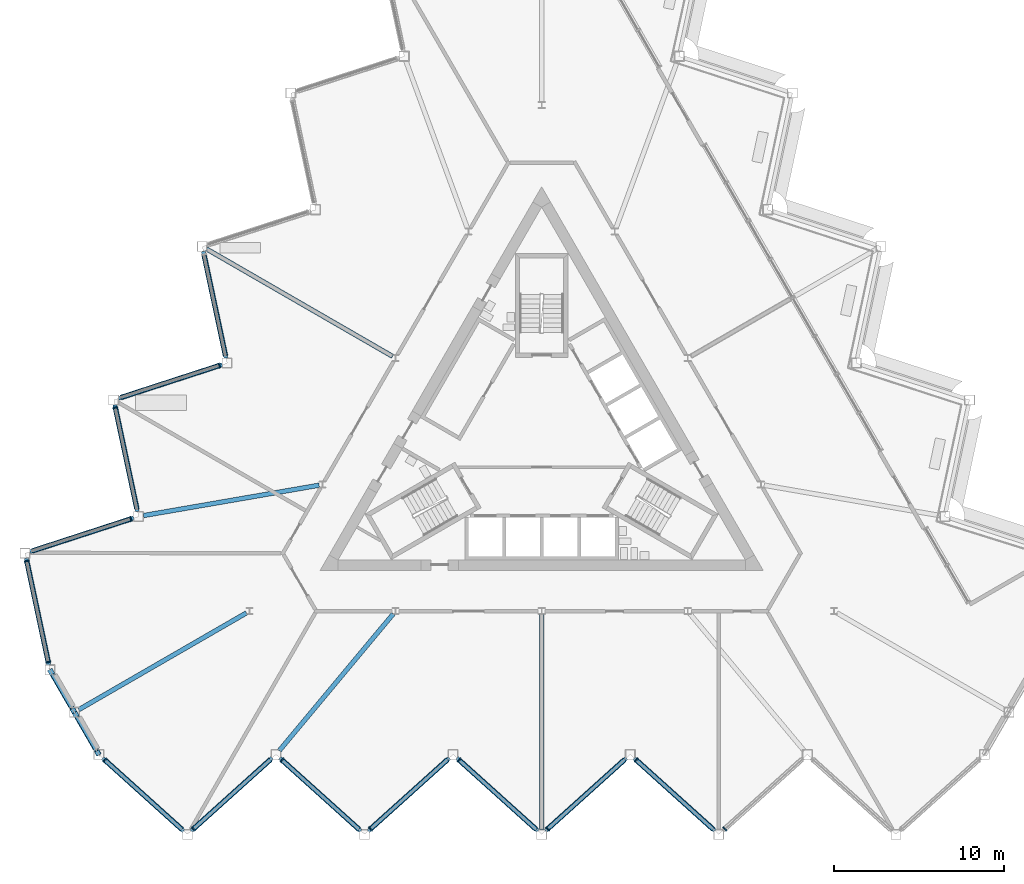
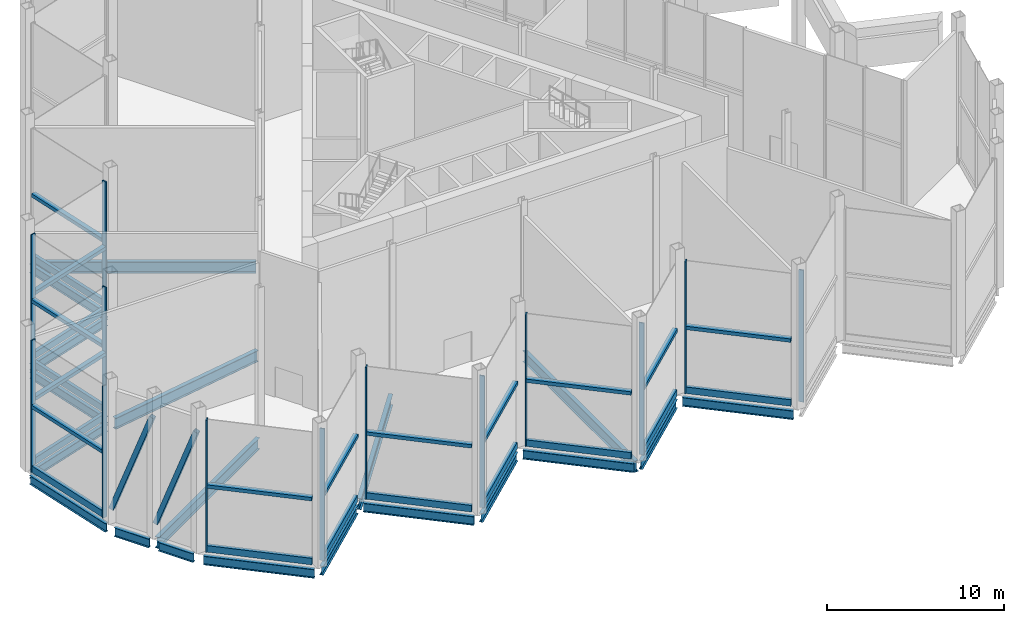
# One storey, part 4 of 18: 39 members, 19 beams, 2 elements without a shape of their own.
"""IFC4 building model written with IfcOpenShell, lengths in metres."""

import ifcopenshell
import ifcopenshell.guid

model = None  # the IFC model being written
_history = None  # IfcOwnerHistory: only IFC2X3 demands one
_inside = {}  # id of a spatial element -> (the spatial element, [elements in it])
_under = {}  # id of a project, library or spatial element -> (it, [spatial elements below it])
_declared = {}  # id of a project -> (the project, [libraries it declares])
_typed = {}  # id of a type object -> (the type object, [elements of that type])
_made_of = {}  # id of a material, layer set ... -> (it, [elements and type objects made of it])


def new_model(schema):
    """Start an empty IFC model of exactly this schema.

    Asked for "IFC4X3", IfcOpenShell would pick the latest addendum, in which some entities
    have other attributes; the version numbers below select the first issue.
    IFC2X3 requires an IfcOwnerHistory on every rooted entity: one is made here for all.
    """
    global model, _history
    if schema == "IFC4X3":
        model = ifcopenshell.file(schema_version=(4, 3, 0, 0))
    else:
        model = ifcopenshell.file(schema=schema)
    _inside.clear()
    _under.clear()
    _declared.clear()
    _typed.clear()
    _made_of.clear()
    _history = None
    if model.schema == "IFC2X3":
        org = make("IfcOrganization", Name="unknown")
        user = make(
            "IfcPersonAndOrganization",
            ThePerson=make("IfcPerson", FamilyName="unknown"),
            TheOrganization=org,
        )
        app = make(
            "IfcApplication",
            ApplicationDeveloper=org,
            Version="unknown",
            ApplicationFullName="unknown",
            ApplicationIdentifier="unknown",
        )
        _history = make(
            "IfcOwnerHistory",
            OwningUser=user,
            OwningApplication=app,
            ChangeAction="ADDED",
            CreationDate=0,
        )
    return model


def make(cls, **values):
    """One entity of the class cls with the attributes given. An attribute that is None is left unset."""
    return model.create_entity(
        cls, **{name: value for name, value in values.items() if value is not None}
    )


def rooted(cls, **values):
    """An entity with a GlobalId (a new one), such as an element, a storey or a relation."""
    return make(cls, GlobalId=ifcopenshell.guid.new(), OwnerHistory=_history, **values)


def si_unit(unit_type, name, prefix=None):
    """IfcSIUnit, for example si_unit("LENGTHUNIT", "METRE", prefix="MILLI")."""
    return make("IfcSIUnit", UnitType=unit_type, Prefix=prefix, Name=name)


def assignment(units):
    """IfcUnitAssignment: the units of a project."""
    return None if units is None else make("IfcUnitAssignment", Units=units)


def point(xyz):
    """IfcCartesianPoint."""
    return None if xyz is None else make("IfcCartesianPoint", Coordinates=xyz)


def direction(xyz):
    """IfcDirection."""
    return None if xyz is None else make("IfcDirection", DirectionRatios=xyz)


def frame(location, z_axis=None, x_axis=None):
    """IfcAxis2Placement3D, a coordinate frame: its origin and axes. An axis left out is left unset."""
    return make(
        "IfcAxis2Placement3D",
        Location=point(location),
        Axis=direction(z_axis),
        RefDirection=direction(x_axis),
    )


def frame_2d(location, x_axis=None):
    """IfcAxis2Placement2D, a coordinate frame in the plane: its origin and x axis."""
    return make(
        "IfcAxis2Placement2D", Location=point(location), RefDirection=direction(x_axis)
    )


def origin():
    """The frame at (0, 0, 0) with its axes left unset."""
    return frame((0.0, 0.0, 0.0))


def origin_2d():
    """The frame at (0, 0) in the plane with its x axis left unset."""
    return frame_2d((0.0, 0.0))


def place(relative_to, where):
    """IfcLocalPlacement: puts the frame where relative to a parent placement (None: the world)."""
    return make(
        "IfcLocalPlacement", PlacementRelTo=relative_to, RelativePlacement=where
    )


def context(
    kind, dimensions, precision=None, world=None, true_north=None, identifier=None
):
    """IfcGeometricRepresentationContext, for example the 3D "Model" context."""
    return make(
        "IfcGeometricRepresentationContext",
        ContextIdentifier=identifier,
        ContextType=kind,
        CoordinateSpaceDimension=dimensions,
        Precision=precision,
        WorldCoordinateSystem=world,
        TrueNorth=true_north,
    )


def subcontext(parent, identifier, kind, view, scale=None):
    """IfcGeometricRepresentationSubContext, for example "Body" below "Model"."""
    return make(
        "IfcGeometricRepresentationSubContext",
        ContextIdentifier=identifier,
        ContextType=kind,
        ParentContext=parent,
        TargetScale=scale,
        TargetView=view,
    )


def project(units=None, contexts=None):
    """IfcProject with its units and contexts."""
    return rooted(
        "IfcProject",
        Name="project",
        RepresentationContexts=contexts,
        UnitsInContext=assignment(units),
    )


def spatial(cls, under=None, at=None, **own):
    """A site, building, storey or space (cls), placed at a placement, below another one or the project."""
    s = rooted(cls, ObjectPlacement=at, **own)
    if under is not None:
        _under.setdefault(under.id(), (under, []))[1].append(s)
    return s


def profile(cls, at=None, kind="AREA", **sizes):
    """A parametric profile (cls). Its sizes go by their IFC names, for example OverallWidth=200.0."""
    return make(cls, ProfileType=kind, Position=at, **sizes)


def rectangle(**sizes):
    """IfcRectangleProfileDef."""
    return profile("IfcRectangleProfileDef", **sizes)


def hollow_rectangle(**sizes):
    """IfcRectangleHollowProfileDef."""
    return profile("IfcRectangleHollowProfileDef", **sizes)


def i_section(**sizes):
    """IfcIShapeProfileDef."""
    return profile("IfcIShapeProfileDef", **sizes)


def extrude(swept, where, along, depth):
    """IfcExtrudedAreaSolid: the profile swept, set in the frame where, extruded along a direction by depth."""
    return make(
        "IfcExtrudedAreaSolid",
        SweptArea=swept,
        Position=where,
        ExtrudedDirection=direction(along),
        Depth=depth,
    )


def shape(context_of_items, identifier, shape_type, items):
    """IfcShapeRepresentation: the items that make up one representation, for example the "Body"."""
    return make(
        "IfcShapeRepresentation",
        ContextOfItems=context_of_items,
        RepresentationIdentifier=identifier,
        RepresentationType=shape_type,
        Items=items,
    )


def material(Name=None, Category=None):
    """IfcMaterial."""
    return make("IfcMaterial", Name=Name, Category=Category)


def layer(
    of_material, thickness, ventilated=None, Name=None, Category=None, Priority=None
):
    """IfcMaterialLayer: one layer of a wall or slab, of a material (None: an air gap)."""
    return make(
        "IfcMaterialLayer",
        Material=of_material,
        LayerThickness=thickness,
        IsVentilated=ventilated,
        Name=Name,
        Category=Category,
        Priority=Priority,
    )


def layer_set(layers, Name=None):
    """IfcMaterialLayerSet."""
    return make("IfcMaterialLayerSet", MaterialLayers=layers, LayerSetName=Name)


def material_profile(
    of_material, cross_section, Name=None, Category=None, Priority=None
):
    """IfcMaterialProfile: a cross section and its material."""
    return make(
        "IfcMaterialProfile",
        Name=Name,
        Material=of_material,
        Profile=cross_section,
        Priority=Priority,
        Category=Category,
    )


def profile_set(profiles, Name=None, composite=None):
    """IfcMaterialProfileSet."""
    return make(
        "IfcMaterialProfileSet",
        Name=Name,
        MaterialProfiles=profiles,
        CompositeProfile=composite,
    )


def made_of(thing, what):
    """Note that an element or type object is made of a material, layer set ...; save() writes the relation."""
    if what is not None:
        _made_of.setdefault(what.id(), (what, []))[1].append(thing)
    return thing


def type_object(cls, material=None, **own):
    """A type object (cls), such as IfcWallType, which elements share."""
    return made_of(rooted(cls, **own), material)


def element(
    cls,
    number,
    at=None,
    inside=None,
    cuts=None,
    type_object=None,
    material=None,
    context=None,
    identifier="Body",
    shape_type=None,
    held_by="IfcProductDefinitionShape",
    body=None,
    shapes=None,
    **own,
):
    """One element of the class cls, such as IfcWall. Its Tag is "e" and its number.

    at: its placement. inside: the storey or other place that contains it. cuts: it is an
    opening in that element (IfcRelVoidsElement). A single representation is given by context,
    identifier, shape_type and body (its items); several are given by shapes. held_by: the class
    of the entity that holds the representations. save() writes the other relations.
    """
    e = rooted(cls, Tag="e%d" % number, ObjectPlacement=at, **own)
    if body is not None:
        shapes = [shape(context, identifier, shape_type, body)]
    if shapes is not None:
        e.Representation = make(held_by, Representations=shapes)
    if inside is not None:
        _inside.setdefault(inside.id(), (inside, []))[1].append(e)
    if cuts is not None:
        rooted(
            "IfcRelVoidsElement", RelatingBuildingElement=cuts, RelatedOpeningElement=e
        )
    if type_object is not None:
        _typed.setdefault(type_object.id(), (type_object, []))[1].append(e)
    return made_of(e, material)


def aggregate(whole, parts):
    """IfcRelAggregates: a whole, such as a stair, and the parts it consists of."""
    return rooted("IfcRelAggregates", RelatingObject=whole, RelatedObjects=parts)


def save(model, path):
    """Write the relations noted so far, then the file.

    IfcRelAggregates (storeys below a building ...), IfcRelContainedInSpatialStructure (elements
    in a storey), IfcRelDefinesByType, IfcRelAssociatesMaterial and IfcRelDeclares: one each for
    every whole, place, type object, material and project.
    """
    for whole, parts in _under.values():
        aggregate(whole, parts)
    for where, things in _inside.values():
        rooted(
            "IfcRelContainedInSpatialStructure",
            RelatedElements=things,
            RelatingStructure=where,
        )
    for kind, things in _typed.values():
        rooted("IfcRelDefinesByType", RelatedObjects=things, RelatingType=kind)
    for what, things in _made_of.values():
        rooted("IfcRelAssociatesMaterial", RelatedObjects=things, RelatingMaterial=what)
    for by, libraries in _declared.values():
        rooted("IfcRelDeclares", RelatingContext=by, RelatedDefinitions=libraries)
    model.write(path)


model = new_model("IFC4")

# Units and contexts
model_context = context("Model", 3, precision=1e-05, world=origin(), true_north=direction((0.0, 1.0)))
body_context = subcontext(model_context, "Body", "Model", "MODEL_VIEW")
ifc_project = project(units=[si_unit("LENGTHUNIT", "METRE"), si_unit("AREAUNIT", "SQUARE_METRE"), si_unit("VOLUMEUNIT", "CUBIC_METRE"), si_unit("PLANEANGLEUNIT", "RADIAN"), si_unit("MASSUNIT", "GRAM", prefix="KILO")], contexts=[model_context])

# Site, building, storey
site_placement = place(None, origin())
site = spatial("IfcSite", under=ifc_project, at=site_placement, CompositionType="ELEMENT")
building_placement = place(site_placement, origin())
building = spatial("IfcBuilding", under=site, at=building_placement, Name="Cormorant Prow Tower", CompositionType="ELEMENT")
storey_placement = place(building_placement, frame((0.0, 0.0, 346.0)))
storey = spatial("IfcBuildingStorey", under=building, at=storey_placement, Name="L78", CompositionType="ELEMENT", Elevation=346.0)

# Members
ifc_material_1 = material(Name="Structural steel ASTM A500 Gr C", Category="steel")
ifc_material_profile_1 = material_profile(ifc_material_1, hollow_rectangle(XDim=0.3046875, YDim=0.3046875, WallThickness=0.01171875, at=origin_2d()), Name="HSS12x12x1/2")
ifc_profile_set_1 = profile_set([ifc_material_profile_1], Name="Structural steel ASTM A500 Gr C")
member_type_1 = type_object("IfcMemberType", Name="Chamfer brace HSS12x12x1/2", PredefinedType="BRACE", material=ifc_profile_set_1)
for number, where, z_axis, x_axis, name in (
    (1, (-28.81005859375, -13.451416015625, 0.924072265625), (0.171130020601, -0.296475393957, 0.93958334214), (0.866076158501, 0.499912079947, 0.0), "Chamfer brace BR3 at WSW00 L78"),
    (2, (-27.373291015625, -15.9404296875, 0.924072265625), (0.171162385088, -0.296444886131, 0.939587072824), (0.866012943183, 0.500021581774, 0.0), "Chamfer brace BR3 at WSW01 L78"),
):
    element("IfcMember", number, at=place(storey_placement, frame(where, z_axis=z_axis, x_axis=x_axis)), inside=storey, type_object=member_type_1, Name=name, PredefinedType="BRACE", context=body_context, shape_type="SweptSolid", body=[
        extrude(hollow_rectangle(XDim=0.3046875, YDim=0.3046875, WallThickness=0.01171875, at=origin_2d()), origin(), (0.0, 0.0, 1.0), 7.705322265625),
    ])

# Beams
ifc_material_2 = material(Name="Structural steel ASTM A992 Gr 50", Category="steel")
ifc_material_profile_2 = material_profile(ifc_material_2, i_section(OverallWidth=0.267822265625, OverallDepth=0.77001953125, WebThickness=0.015625, FlangeThickness=0.025390625, at=origin_2d()), Name="W30x132")
ifc_profile_set_2 = profile_set([ifc_material_profile_2], Name="Structural steel ASTM A992 Gr 50")
beam_type_1 = type_object("IfcBeamType", Name="Radial floor beam W30x132", PredefinedType="BEAM", material=ifc_profile_set_2)
beam_1_placement = place(storey_placement, frame((-8.749755859375, 5.051513671875, -0.68505859375), z_axis=(-0.866021086443, 0.50000747778, 0.0), x_axis=(-0.50000747778, -0.866021086443, 0.0)))
element("IfcBeam", 3, at=beam_1_placement, inside=storey, type_object=beam_type_1, Name="Radial floor beam FB3 3 L78", PredefinedType="BEAM", context=body_context, shape_type="SweptSolid", body=[
    extrude(i_section(OverallWidth=0.267822265625, OverallDepth=0.77001953125, WebThickness=0.015625, FlangeThickness=0.025390625, at=origin_2d()), origin(), (0.0, 0.0, 1.0), 12.604736328125),
])
beam_2_placement = place(storey_placement, frame((-13.0625, -2.510009765625, -0.68505859375), z_axis=(-0.985379592304, -0.170373293304, 0.0), x_axis=(0.170373293304, -0.985379592304, 0.0)))
element("IfcBeam", 4, at=beam_2_placement, inside=storey, type_object=beam_type_1, Name="Radial floor beam FB3 4 L78", PredefinedType="BEAM", context=body_context, shape_type="SweptSolid", body=[
    extrude(i_section(OverallWidth=0.267822265625, OverallDepth=0.77001953125, WebThickness=0.015625, FlangeThickness=0.025390625, at=origin_2d()), origin(), (0.0, 0.0, 1.0), 10.465087890625),
])
beam_3_placement = place(storey_placement, frame((-17.328125, -10.00439453125, -0.68505859375), z_axis=(-0.866024637028, -0.500001328059, 0.0), x_axis=(0.500001328059, -0.866024637028, 0.0)))
element("IfcBeam", 5, at=beam_3_placement, inside=storey, type_object=beam_type_1, Name="Radial floor beam FB3 5 L78", PredefinedType="BEAM", context=body_context, shape_type="SweptSolid", body=[
    extrude(i_section(OverallWidth=0.267822265625, OverallDepth=0.77001953125, WebThickness=0.015625, FlangeThickness=0.025390625, at=origin_2d()), origin(), (0.0, 0.0, 1.0), 11.3671875),
])
beam_4_placement = place(storey_placement, frame((-8.705078125, -10.057373046875, -0.68505859375), z_axis=(-0.640239469619, -0.768175384624, 0.0), x_axis=(0.768175384624, -0.640239469619, 0.0)))
element("IfcBeam", 6, at=beam_4_placement, inside=storey, type_object=beam_type_1, Name="Radial floor beam FB3 6 L78", PredefinedType="BEAM", context=body_context, shape_type="SweptSolid", body=[
    extrude(i_section(OverallWidth=0.267822265625, OverallDepth=0.77001953125, WebThickness=0.015625, FlangeThickness=0.025390625, at=origin_2d()), origin(), (0.0, 0.0, 1.0), 10.465087890625),
])
beam_5_placement = place(storey_placement, frame((0.0, -10.103271484375, -0.68505859375), z_axis=(0.0, -1.0, 0.0), x_axis=(1.0, 0.0, 0.0)))
element("IfcBeam", 7, at=beam_5_placement, inside=storey, type_object=beam_type_1, Name="Radial floor beam FB3 7 L78", PredefinedType="BEAM", context=body_context, shape_type="SweptSolid", body=[
    extrude(i_section(OverallWidth=0.267822265625, OverallDepth=0.77001953125, WebThickness=0.015625, FlangeThickness=0.025390625, at=origin_2d()), origin(), (0.0, 0.0, 1.0), 12.604736328125),
])

# Curtain wall, members
ifc_material_3 = material(Name="Aluminium 6063-T6", Category="aluminium")
ifc_layer = layer(ifc_material_3, 0.300048828125)
ifc_layer_set = layer_set([ifc_layer], Name="Aluminium 6063-T6")
curtain_wall_type = type_object("IfcCurtainWallType", Name="Sky lobby unitised curtain wall 300", PredefinedType="NOTDEFINED", material=ifc_layer_set)
curtain_wall_1_placement = place(storey_placement, origin())
curtain_wall_1 = element("IfcCurtainWall", 8, at=curtain_wall_1_placement, inside=storey, type_object=curtain_wall_type, Name="Sky lobby curtain wall S00-S09", PredefinedType="NOTDEFINED")
ifc_material_4 = material(Name="Aluminium 6063-T6", Category="aluminium")
ifc_material_profile_3 = material_profile(ifc_material_4, rectangle(XDim=0.300048828125, YDim=0.239990234375, at=origin_2d()), Name="Sky lobby intermediate transom 300x240")
ifc_profile_set_3 = profile_set([ifc_material_profile_3], Name="Aluminium 6063-T6")
member_type_2 = type_object("IfcMemberType", Name="Sky lobby intermediate transom 300x240", PredefinedType="USERDEFINED", material=ifc_profile_set_3)
member_1_placement = place(storey_placement, frame((-25.613525390625, -18.670654296875, 4.5439453125), z_axis=(0.743133553875, -0.669143124529, 0.0), x_axis=(0.669143124529, 0.743133553875, 0.0)))
member_1 = element("IfcMember", 9, at=member_1_placement, type_object=member_type_2, Name="Sky lobby intermediate transom S00-S09", ObjectType="TRANSOM", PredefinedType="USERDEFINED", context=body_context, shape_type="SweptSolid", body=[
    extrude(rectangle(XDim=0.300048828125, YDim=0.239990234375, at=origin_2d()), origin(), (0.0, 0.0, 1.0), 6.048095703125),
])
member_2_placement = place(storey_placement, frame((-20.414306640625, -22.6640625, 4.5439453125), z_axis=(0.743153626468, 0.66912083174, 0.0), x_axis=(-0.66912083174, 0.743153626468, 0.0)))
member_2 = element("IfcMember", 10, at=member_2_placement, type_object=member_type_2, Name="Sky lobby intermediate transom S00-S09", ObjectType="TRANSOM", PredefinedType="USERDEFINED", context=body_context, shape_type="SweptSolid", body=[
    extrude(rectangle(XDim=0.300048828125, YDim=0.239990234375, at=origin_2d()), origin(), (0.0, 0.0, 1.0), 6.048095703125),
])
member_3_placement = place(storey_placement, frame((-15.21533203125, -18.670654296875, 4.5439453125), z_axis=(0.743133553875, -0.669143124529, 0.0), x_axis=(0.669143124529, 0.743133553875, 0.0)))
member_3 = element("IfcMember", 11, at=member_3_placement, type_object=member_type_2, Name="Sky lobby intermediate transom S00-S09", ObjectType="TRANSOM", PredefinedType="USERDEFINED", context=body_context, shape_type="SweptSolid", body=[
    extrude(rectangle(XDim=0.300048828125, YDim=0.239990234375, at=origin_2d()), origin(), (0.0, 0.0, 1.0), 6.048095703125),
])
member_4_placement = place(storey_placement, frame((-10.01611328125, -22.6640625, 4.5439453125), z_axis=(0.743153626468, 0.66912083174, 0.0), x_axis=(-0.66912083174, 0.743153626468, 0.0)))
member_4 = element("IfcMember", 12, at=member_4_placement, type_object=member_type_2, Name="Sky lobby intermediate transom S00-S09", ObjectType="TRANSOM", PredefinedType="USERDEFINED", context=body_context, shape_type="SweptSolid", body=[
    extrude(rectangle(XDim=0.300048828125, YDim=0.239990234375, at=origin_2d()), origin(), (0.0, 0.0, 1.0), 6.048095703125),
])
member_5_placement = place(storey_placement, frame((-4.817138671875, -18.670654296875, 4.5439453125), z_axis=(0.743133553875, -0.669143124529, 0.0), x_axis=(0.669143124529, 0.743133553875, 0.0)))
member_5 = element("IfcMember", 13, at=member_5_placement, type_object=member_type_2, Name="Sky lobby intermediate transom S00-S09", ObjectType="TRANSOM", PredefinedType="USERDEFINED", context=body_context, shape_type="SweptSolid", body=[
    extrude(rectangle(XDim=0.300048828125, YDim=0.239990234375, at=origin_2d()), origin(), (0.0, 0.0, 1.0), 6.048095703125),
])
member_6_placement = place(storey_placement, frame((0.382080078125, -22.6640625, 4.5439453125), z_axis=(0.743135552502, 0.669140904898, 0.0), x_axis=(-0.669140904898, 0.743135552502, 0.0)))
member_6 = element("IfcMember", 14, at=member_6_placement, type_object=member_type_2, Name="Sky lobby intermediate transom S00-S09", ObjectType="TRANSOM", PredefinedType="USERDEFINED", context=body_context, shape_type="SweptSolid", body=[
    extrude(rectangle(XDim=0.300048828125, YDim=0.239990234375, at=origin_2d()), origin(), (0.0, 0.0, 1.0), 6.0478515625),
])
member_7_placement = place(storey_placement, frame((5.5810546875, -18.670654296875, 4.5439453125), z_axis=(0.743133553875, -0.669143124529, 0.0), x_axis=(0.669143124529, 0.743133553875, 0.0)))
member_7 = element("IfcMember", 15, at=member_7_placement, type_object=member_type_2, Name="Sky lobby intermediate transom S00-S09", ObjectType="TRANSOM", PredefinedType="USERDEFINED", context=body_context, shape_type="SweptSolid", body=[
    extrude(rectangle(XDim=0.300048828125, YDim=0.239990234375, at=origin_2d()), origin(), (0.0, 0.0, 1.0), 6.048095703125),
])

curtain_wall_2_placement = place(storey_placement, origin())
curtain_wall_2 = element("IfcCurtainWall", 16, at=curtain_wall_2_placement, inside=storey, type_object=curtain_wall_type, Name="Sky lobby curtain wall WNW00-WNW09", PredefinedType="NOTDEFINED")
member_8_placement = place(storey_placement, frame((-19.81884765625, 11.001220703125, 4.5439453125), z_axis=(0.207932622371, -0.978143151361, 0.0), x_axis=(0.978143151361, 0.207932622371, 0.0)))
member_8 = element("IfcMember", 17, at=member_8_placement, type_object=member_type_2, Name="Sky lobby intermediate transom WNW00-WNW09", ObjectType="TRANSOM", PredefinedType="USERDEFINED", context=body_context, shape_type="SweptSolid", body=[
    extrude(rectangle(XDim=0.300048828125, YDim=0.239990234375, at=origin_2d()), origin(), (0.0, 0.0, 1.0), 6.0478515625),
])
member_9_placement = place(storey_placement, frame((-18.9599609375, 4.501953125, 4.5439453125), z_axis=(-0.95105779808, -0.309013049419, 0.0), x_axis=(0.309013049419, -0.95105779808, 0.0)))
member_9 = element("IfcMember", 18, at=member_9_placement, type_object=member_type_2, Name="Sky lobby intermediate transom WNW00-WNW09", ObjectType="TRANSOM", PredefinedType="USERDEFINED", context=body_context, shape_type="SweptSolid", body=[
    extrude(rectangle(XDim=0.300048828125, YDim=0.239990234375, at=origin_2d()), origin(), (0.0, 0.0, 1.0), 6.0478515625),
])
member_10_placement = place(storey_placement, frame((-25.017822265625, 1.99609375, 4.5439453125), z_axis=(0.207932622371, -0.978143151361, 0.0), x_axis=(0.978143151361, 0.207932622371, 0.0)))
member_10 = element("IfcMember", 19, at=member_10_placement, type_object=member_type_2, Name="Sky lobby intermediate transom WNW00-WNW09", ObjectType="TRANSOM", PredefinedType="USERDEFINED", context=body_context, shape_type="SweptSolid", body=[
    extrude(rectangle(XDim=0.300048828125, YDim=0.239990234375, at=origin_2d()), origin(), (0.0, 0.0, 1.0), 6.0478515625),
])
member_11_placement = place(storey_placement, frame((-24.158935546875, -4.5029296875, 4.5439453125), z_axis=(-0.951045933958, -0.309049561561, 0.0), x_axis=(0.309049561561, -0.951045933958, 0.0)))
member_11 = element("IfcMember", 20, at=member_11_placement, type_object=member_type_2, Name="Sky lobby intermediate transom WNW00-WNW09", ObjectType="TRANSOM", PredefinedType="USERDEFINED", context=body_context, shape_type="SweptSolid", body=[
    extrude(rectangle(XDim=0.300048828125, YDim=0.239990234375, at=origin_2d()), origin(), (0.0, 0.0, 1.0), 6.048095703125),
])
member_12_placement = place(storey_placement, frame((-30.216796875, -7.0087890625, 4.5439453125), z_axis=(0.207894471444, -0.978151260666, 0.0), x_axis=(0.978151260666, 0.207894471444, 0.0)))
member_12 = element("IfcMember", 21, at=member_12_placement, type_object=member_type_2, Name="Sky lobby intermediate transom WNW00-WNW09", ObjectType="TRANSOM", PredefinedType="USERDEFINED", context=body_context, shape_type="SweptSolid", body=[
    extrude(rectangle(XDim=0.300048828125, YDim=0.239990234375, at=origin_2d()), origin(), (0.0, 0.0, 1.0), 5.968017578125),
])

# Member
ifc_material_5 = material(Name="Aluminium 6063-T6", Category="aluminium")
ifc_material_profile_4 = material_profile(ifc_material_5, rectangle(XDim=0.300048828125, YDim=0.080078125, at=origin_2d()), Name="Sky lobby mullion 80x300")
ifc_profile_set_4 = profile_set([ifc_material_profile_4], Name="Aluminium 6063-T6")
member_type_3 = type_object("IfcMemberType", Name="Sky lobby mullion 80x300", PredefinedType="MULLION", material=ifc_profile_set_4)
member_13_placement = place(storey_placement, frame((-25.64306640625, -18.64404296875, 0.0), z_axis=(0.0, 0.0, 1.0), x_axis=(0.669130617578, 0.743144815375, 0.0)))
member_13 = element("IfcMember", 22, at=member_13_placement, type_object=member_type_3, Name="Sky lobby mullion S00-S09", PredefinedType="MULLION", context=body_context, shape_type="SweptSolid", body=[
    extrude(rectangle(XDim=0.300048828125, YDim=0.080078125, at=origin_2d()), origin(), (0.0, 0.0, 1.0), 9.087890625),
])

member_14_placement = place(storey_placement, frame((-20.444091796875, -22.69091796875, 0.0), z_axis=(0.0, 0.0, 1.0), x_axis=(-0.669130688656, 0.743144751377, 0.0)))
member_14 = element("IfcMember", 23, at=member_14_placement, type_object=member_type_3, Name="Sky lobby mullion S00-S09", PredefinedType="MULLION", context=body_context, shape_type="SweptSolid", body=[
    extrude(rectangle(XDim=0.300048828125, YDim=0.080078125, at=origin_2d()), origin(), (0.0, 0.0, 1.0), 9.087890625),
])

member_15_placement = place(storey_placement, frame((-15.244873046875, -18.64404296875, 0.0), z_axis=(0.0, 0.0, 1.0), x_axis=(0.669130617578, 0.743144815375, 0.0)))
member_15 = element("IfcMember", 24, at=member_15_placement, type_object=member_type_3, Name="Sky lobby mullion S00-S09", PredefinedType="MULLION", context=body_context, shape_type="SweptSolid", body=[
    extrude(rectangle(XDim=0.300048828125, YDim=0.080078125, at=origin_2d()), origin(), (0.0, 0.0, 1.0), 9.087890625),
])

member_16_placement = place(storey_placement, frame((-10.0458984375, -22.69091796875, 0.0), z_axis=(0.0, 0.0, 1.0), x_axis=(-0.669130688656, 0.743144751377, 0.0)))
member_16 = element("IfcMember", 25, at=member_16_placement, type_object=member_type_3, Name="Sky lobby mullion S00-S09", PredefinedType="MULLION", context=body_context, shape_type="SweptSolid", body=[
    extrude(rectangle(XDim=0.300048828125, YDim=0.080078125, at=origin_2d()), origin(), (0.0, 0.0, 1.0), 9.087890625),
])

member_17_placement = place(storey_placement, frame((-4.846923828125, -18.64404296875, 0.0), z_axis=(0.0, 0.0, 1.0), x_axis=(0.669130617578, 0.743144815375, 0.0)))
member_17 = element("IfcMember", 26, at=member_17_placement, type_object=member_type_3, Name="Sky lobby mullion S00-S09", PredefinedType="MULLION", context=body_context, shape_type="SweptSolid", body=[
    extrude(rectangle(XDim=0.300048828125, YDim=0.080078125, at=origin_2d()), origin(), (0.0, 0.0, 1.0), 9.087890625),
])

member_18_placement = place(storey_placement, frame((0.352294921875, -22.69091796875, 0.0), z_axis=(0.0, 0.0, 1.0), x_axis=(-0.669130617578, 0.743144815375, 0.0)))
member_18 = element("IfcMember", 27, at=member_18_placement, type_object=member_type_3, Name="Sky lobby mullion S00-S09", PredefinedType="MULLION", context=body_context, shape_type="SweptSolid", body=[
    extrude(rectangle(XDim=0.300048828125, YDim=0.080078125, at=origin_2d()), origin(), (0.0, 0.0, 1.0), 9.087890625),
])

member_19_placement = place(storey_placement, frame((5.55126953125, -18.64404296875, 0.0), z_axis=(0.0, 0.0, 1.0), x_axis=(0.669130688656, 0.743144751377, 0.0)))
member_19 = element("IfcMember", 28, at=member_19_placement, type_object=member_type_3, Name="Sky lobby mullion S00-S09", PredefinedType="MULLION", context=body_context, shape_type="SweptSolid", body=[
    extrude(rectangle(XDim=0.300048828125, YDim=0.080078125, at=origin_2d()), origin(), (0.0, 0.0, 1.0), 9.087890625),
])

member_20_placement = place(storey_placement, frame((10.75048828125, -22.69091796875, 0.0), z_axis=(0.0, 0.0, 1.0), x_axis=(-0.669130617578, 0.743144815375, 0.0)))
member_20 = element("IfcMember", 29, at=member_20_placement, type_object=member_type_3, Name="Sky lobby mullion S00-S09", PredefinedType="MULLION", context=body_context, shape_type="SweptSolid", body=[
    extrude(rectangle(XDim=0.300048828125, YDim=0.080078125, at=origin_2d()), origin(), (0.0, 0.0, 1.0), 9.087890625),
])

member_21_placement = place(storey_placement, frame((-18.921875, 4.514404296875, 0.0), z_axis=(0.0, 0.0, 1.0), x_axis=(0.309016989495, -0.951056517881, 0.0)))
member_21 = element("IfcMember", 30, at=member_21_placement, type_object=member_type_3, Name="Sky lobby mullion WNW00-WNW09", PredefinedType="MULLION", context=body_context, shape_type="SweptSolid", body=[
    extrude(rectangle(XDim=0.300048828125, YDim=0.080078125, at=origin_2d()), origin(), (0.0, 0.0, 1.0), 9.087890625),
])

member_22_placement = place(storey_placement, frame((-25.026123046875, 2.035400390625, 0.0), z_axis=(0.0, 0.0, 1.0), x_axis=(0.978147608322, 0.20791165512, 0.0)))
member_22 = element("IfcMember", 31, at=member_22_placement, type_object=member_type_3, Name="Sky lobby mullion WNW00-WNW09", PredefinedType="MULLION", context=body_context, shape_type="SweptSolid", body=[
    extrude(rectangle(XDim=0.300048828125, YDim=0.080078125, at=origin_2d()), origin(), (0.0, 0.0, 1.0), 9.087890625),
])

member_23_placement = place(storey_placement, frame((-24.120849609375, -4.49072265625, 0.0), z_axis=(0.0, 0.0, 1.0), x_axis=(0.309016989495, -0.951056517881, 0.0)))
member_23 = element("IfcMember", 32, at=member_23_placement, type_object=member_type_3, Name="Sky lobby mullion WNW00-WNW09", PredefinedType="MULLION", context=body_context, shape_type="SweptSolid", body=[
    extrude(rectangle(XDim=0.300048828125, YDim=0.080078125, at=origin_2d()), origin(), (0.0, 0.0, 1.0), 9.087890625),
])

member_24_placement = place(storey_placement, frame((-30.22509765625, -6.9697265625, 0.0), z_axis=(0.0, 0.0, 1.0), x_axis=(0.978147585431, 0.20791176281, 0.0)))
member_24 = element("IfcMember", 33, at=member_24_placement, type_object=member_type_3, Name="Sky lobby mullion WNW00-WNW09", PredefinedType="MULLION", context=body_context, shape_type="SweptSolid", body=[
    extrude(rectangle(XDim=0.300048828125, YDim=0.080078125, at=origin_2d()), origin(), (0.0, 0.0, 1.0), 9.087890625),
])

member_25_placement = place(storey_placement, frame((-28.9677734375, -12.885498046875, 0.0), z_axis=(0.0, 0.0, 1.0), x_axis=(0.978147585431, 0.20791176281, 0.0)))
member_25 = element("IfcMember", 34, at=member_25_placement, type_object=member_type_3, Name="Sky lobby mullion WNW00-WNW09", PredefinedType="MULLION", context=body_context, shape_type="SweptSolid", body=[
    extrude(rectangle(XDim=0.300048828125, YDim=0.080078125, at=origin_2d()), origin(), (0.0, 0.0, 1.0), 9.087890625),
])

ifc_material_6 = material(Name="Terracotta", Category="masonry")
ifc_material_profile_5 = material_profile(ifc_material_6, rectangle(XDim=0.219970703125, YDim=0.449951171875, at=origin_2d()), Name="Sky lobby terracotta spandrel rail 220x450")
ifc_profile_set_5 = profile_set([ifc_material_profile_5], Name="Terracotta")
member_type_4 = type_object("IfcMemberType", Name="Sky lobby terracotta spandrel rail 220x450", PredefinedType="USERDEFINED", material=ifc_profile_set_5)
member_26_placement = place(storey_placement, frame((-25.613525390625, -18.670654296875, 0.22509765625), z_axis=(0.743133553875, -0.669143124529, 0.0), x_axis=(0.669143124529, 0.743133553875, 0.0)))
member_26 = element("IfcMember", 35, at=member_26_placement, type_object=member_type_4, Name="Sky lobby spandrel rail S00-S09", ObjectType="TRANSOM", PredefinedType="USERDEFINED", context=body_context, shape_type="SweptSolid", body=[
    extrude(rectangle(XDim=0.219970703125, YDim=0.449951171875, at=origin_2d()), origin(), (0.0, 0.0, 1.0), 6.048095703125),
])

member_27_placement = place(storey_placement, frame((-20.414306640625, -22.6640625, 0.22509765625), z_axis=(0.743153626468, 0.66912083174, 0.0), x_axis=(-0.66912083174, 0.743153626468, 0.0)))
member_27 = element("IfcMember", 36, at=member_27_placement, type_object=member_type_4, Name="Sky lobby spandrel rail S00-S09", ObjectType="TRANSOM", PredefinedType="USERDEFINED", context=body_context, shape_type="SweptSolid", body=[
    extrude(rectangle(XDim=0.219970703125, YDim=0.449951171875, at=origin_2d()), origin(), (0.0, 0.0, 1.0), 6.048095703125),
])

member_28_placement = place(storey_placement, frame((-15.21533203125, -18.670654296875, 0.22509765625), z_axis=(0.743133553875, -0.669143124529, 0.0), x_axis=(0.669143124529, 0.743133553875, 0.0)))
member_28 = element("IfcMember", 37, at=member_28_placement, type_object=member_type_4, Name="Sky lobby spandrel rail S00-S09", ObjectType="TRANSOM", PredefinedType="USERDEFINED", context=body_context, shape_type="SweptSolid", body=[
    extrude(rectangle(XDim=0.219970703125, YDim=0.449951171875, at=origin_2d()), origin(), (0.0, 0.0, 1.0), 6.048095703125),
])

member_29_placement = place(storey_placement, frame((-10.01611328125, -22.6640625, 0.22509765625), z_axis=(0.743153626468, 0.66912083174, 0.0), x_axis=(-0.66912083174, 0.743153626468, 0.0)))
member_29 = element("IfcMember", 38, at=member_29_placement, type_object=member_type_4, Name="Sky lobby spandrel rail S00-S09", ObjectType="TRANSOM", PredefinedType="USERDEFINED", context=body_context, shape_type="SweptSolid", body=[
    extrude(rectangle(XDim=0.219970703125, YDim=0.449951171875, at=origin_2d()), origin(), (0.0, 0.0, 1.0), 6.048095703125),
])

member_30_placement = place(storey_placement, frame((-4.817138671875, -18.670654296875, 0.22509765625), z_axis=(0.743133553875, -0.669143124529, 0.0), x_axis=(0.669143124529, 0.743133553875, 0.0)))
member_30 = element("IfcMember", 39, at=member_30_placement, type_object=member_type_4, Name="Sky lobby spandrel rail S00-S09", ObjectType="TRANSOM", PredefinedType="USERDEFINED", context=body_context, shape_type="SweptSolid", body=[
    extrude(rectangle(XDim=0.219970703125, YDim=0.449951171875, at=origin_2d()), origin(), (0.0, 0.0, 1.0), 6.048095703125),
])

member_31_placement = place(storey_placement, frame((0.382080078125, -22.6640625, 0.22509765625), z_axis=(0.743135552502, 0.669140904898, 0.0), x_axis=(-0.669140904898, 0.743135552502, 0.0)))
member_31 = element("IfcMember", 40, at=member_31_placement, type_object=member_type_4, Name="Sky lobby spandrel rail S00-S09", ObjectType="TRANSOM", PredefinedType="USERDEFINED", context=body_context, shape_type="SweptSolid", body=[
    extrude(rectangle(XDim=0.219970703125, YDim=0.449951171875, at=origin_2d()), origin(), (0.0, 0.0, 1.0), 6.0478515625),
])

member_32_placement = place(storey_placement, frame((5.5810546875, -18.670654296875, 0.22509765625), z_axis=(0.743133553875, -0.669143124529, 0.0), x_axis=(0.669143124529, 0.743133553875, 0.0)))
member_32 = element("IfcMember", 41, at=member_32_placement, type_object=member_type_4, Name="Sky lobby spandrel rail S00-S09", ObjectType="TRANSOM", PredefinedType="USERDEFINED", context=body_context, shape_type="SweptSolid", body=[
    extrude(rectangle(XDim=0.219970703125, YDim=0.449951171875, at=origin_2d()), origin(), (0.0, 0.0, 1.0), 6.048095703125),
])

aggregate(curtain_wall_1, [member_13, member_26, member_1, member_14, member_27, member_2, member_15, member_28, member_3, member_16, member_29, member_4, member_17, member_30, member_5, member_18, member_31, member_6, member_19, member_32, member_7, member_20])

member_33_placement = place(storey_placement, frame((-19.81884765625, 11.001220703125, 0.22509765625), z_axis=(0.207932622371, -0.978143151361, 0.0), x_axis=(0.978143151361, 0.207932622371, 0.0)))
member_33 = element("IfcMember", 42, at=member_33_placement, type_object=member_type_4, Name="Sky lobby spandrel rail WNW00-WNW09", ObjectType="TRANSOM", PredefinedType="USERDEFINED", context=body_context, shape_type="SweptSolid", body=[
    extrude(rectangle(XDim=0.219970703125, YDim=0.449951171875, at=origin_2d()), origin(), (0.0, 0.0, 1.0), 6.0478515625),
])

member_34_placement = place(storey_placement, frame((-18.9599609375, 4.501953125, 0.22509765625), z_axis=(-0.95105779808, -0.309013049419, 0.0), x_axis=(0.309013049419, -0.95105779808, 0.0)))
member_34 = element("IfcMember", 43, at=member_34_placement, type_object=member_type_4, Name="Sky lobby spandrel rail WNW00-WNW09", ObjectType="TRANSOM", PredefinedType="USERDEFINED", context=body_context, shape_type="SweptSolid", body=[
    extrude(rectangle(XDim=0.219970703125, YDim=0.449951171875, at=origin_2d()), origin(), (0.0, 0.0, 1.0), 6.0478515625),
])

member_35_placement = place(storey_placement, frame((-25.017822265625, 1.99609375, 0.22509765625), z_axis=(0.207932622371, -0.978143151361, 0.0), x_axis=(0.978143151361, 0.207932622371, 0.0)))
member_35 = element("IfcMember", 44, at=member_35_placement, type_object=member_type_4, Name="Sky lobby spandrel rail WNW00-WNW09", ObjectType="TRANSOM", PredefinedType="USERDEFINED", context=body_context, shape_type="SweptSolid", body=[
    extrude(rectangle(XDim=0.219970703125, YDim=0.449951171875, at=origin_2d()), origin(), (0.0, 0.0, 1.0), 6.0478515625),
])

member_36_placement = place(storey_placement, frame((-24.158935546875, -4.5029296875, 0.22509765625), z_axis=(-0.951045933958, -0.309049561561, 0.0), x_axis=(0.309049561561, -0.951045933958, 0.0)))
member_36 = element("IfcMember", 45, at=member_36_placement, type_object=member_type_4, Name="Sky lobby spandrel rail WNW00-WNW09", ObjectType="TRANSOM", PredefinedType="USERDEFINED", context=body_context, shape_type="SweptSolid", body=[
    extrude(rectangle(XDim=0.219970703125, YDim=0.449951171875, at=origin_2d()), origin(), (0.0, 0.0, 1.0), 6.048095703125),
])

member_37_placement = place(storey_placement, frame((-30.216796875, -7.0087890625, 0.22509765625), z_axis=(0.207894471444, -0.978151260666, 0.0), x_axis=(0.978151260666, 0.207894471444, 0.0)))
member_37 = element("IfcMember", 46, at=member_37_placement, type_object=member_type_4, Name="Sky lobby spandrel rail WNW00-WNW09", ObjectType="TRANSOM", PredefinedType="USERDEFINED", context=body_context, shape_type="SweptSolid", body=[
    extrude(rectangle(XDim=0.219970703125, YDim=0.449951171875, at=origin_2d()), origin(), (0.0, 0.0, 1.0), 5.968017578125),
])

aggregate(curtain_wall_2, [member_33, member_8, member_21, member_34, member_9, member_22, member_35, member_10, member_23, member_36, member_11, member_24, member_25, member_37, member_12])

# Beams
ifc_material_7 = material(Name="Structural steel ASTM A992 Gr 50", Category="steel")
ifc_material_profile_6 = material_profile(ifc_material_7, i_section(OverallWidth=0.22900390625, OverallDepth=0.612060546875, WebThickness=0.011962890625, FlangeThickness=0.01953125, at=origin_2d()), Name="W24x84")
ifc_profile_set_6 = profile_set([ifc_material_profile_6], Name="Structural steel ASTM A992 Gr 50")
beam_type_2 = type_object("IfcBeamType", Name="Spandrel beam W24x84", PredefinedType="SPANDREL", material=ifc_profile_set_6)
beam_6_placement = place(storey_placement, frame((-25.7724609375, -18.527587890625, -0.60595703125), z_axis=(0.743144186555, -0.669131315954, 0.0), x_axis=(0.669131315954, 0.743144186555, 0.0)))
element("IfcBeam", 47, at=beam_6_placement, inside=storey, type_object=beam_type_2, Name="Spandrel beam SB3 S00-S01 L78", PredefinedType="SPANDREL", context=body_context, shape_type="SweptSolid", body=[
    extrude(i_section(OverallWidth=0.22900390625, OverallDepth=0.612060546875, WebThickness=0.011962890625, FlangeThickness=0.01953125, at=origin_2d()), origin(), (0.0, 0.0, 1.0), 6.39599609375),
])
beam_7_placement = place(storey_placement, frame((-20.573486328125, -22.807373046875, -0.60595703125), z_axis=(0.743161276225, 0.669112335502, 0.0), x_axis=(-0.669112335502, 0.743161276225, 0.0)))
element("IfcBeam", 48, at=beam_7_placement, inside=storey, type_object=beam_type_2, Name="Spandrel beam SB3 S01-S02 L78", PredefinedType="SPANDREL", context=body_context, shape_type="SweptSolid", body=[
    extrude(i_section(OverallWidth=0.22900390625, OverallDepth=0.612060546875, WebThickness=0.011962890625, FlangeThickness=0.01953125, at=origin_2d()), origin(), (0.0, 0.0, 1.0), 6.396240234375),
])
for number, where, z_axis, x_axis, name in (
    (49, (-15.374267578125, -18.527587890625, -0.60595703125), (0.743144186555, -0.669131315954, 0.0), (0.669131315954, 0.743144186555, 0.0), "Spandrel beam SB3 S02-S03 L78"),
    (50, (-10.17529296875, -22.807373046875, -0.60595703125), (0.743144186555, 0.669131315954, 0.0), (-0.669131315954, 0.743144186555, 0.0), "Spandrel beam SB3 S03-S04 L78"),
    (51, (-4.97607421875, -18.527587890625, -0.60595703125), (0.743144186555, -0.669131315954, 0.0), (0.669131315954, 0.743144186555, 0.0), "Spandrel beam SB3 S04-S05 L78"),
    (52, (0.222900390625, -22.807373046875, -0.60595703125), (0.743144186555, 0.669131315954, 0.0), (-0.669131315954, 0.743144186555, 0.0), "Spandrel beam SB3 S05-S06 L78"),
    (53, (5.422119140625, -18.527587890625, -0.60595703125), (0.743144186555, -0.669131315954, 0.0), (0.669131315954, 0.743144186555, 0.0), "Spandrel beam SB3 S06-S07 L78"),
):
    element("IfcBeam", number, at=place(storey_placement, frame(where, z_axis=z_axis, x_axis=x_axis)), inside=storey, type_object=beam_type_2, Name=name, PredefinedType="SPANDREL", context=body_context, shape_type="SweptSolid", body=[
        extrude(i_section(OverallWidth=0.22900390625, OverallDepth=0.612060546875, WebThickness=0.011962890625, FlangeThickness=0.01953125, at=origin_2d()), origin(), (0.0, 0.0, 1.0), 6.39599609375),
    ])
beam_8_placement = place(storey_placement, frame((-19.86328125, 11.210693359375, -0.60595703125), z_axis=(0.20791262393, -0.978147402394, 0.0), x_axis=(0.978147402394, 0.20791262393, 0.0)))
element("IfcBeam", 54, at=beam_8_placement, inside=storey, type_object=beam_type_2, Name="Spandrel beam SB3 WNW05-WNW06 L78", PredefinedType="SPANDREL", context=body_context, shape_type="SweptSolid", body=[
    extrude(i_section(OverallWidth=0.22900390625, OverallDepth=0.612060546875, WebThickness=0.011962890625, FlangeThickness=0.01953125, at=origin_2d()), origin(), (0.0, 0.0, 1.0), 6.396240234375),
])
beam_9_placement = place(storey_placement, frame((-18.75634765625, 4.568115234375, -0.60595703125), z_axis=(-0.951064359156, -0.308992855489, 0.0), x_axis=(0.308992855489, -0.951064359156, 0.0)))
element("IfcBeam", 55, at=beam_9_placement, inside=storey, type_object=beam_type_2, Name="Spandrel beam SB3 WNW06-WNW07 L78", PredefinedType="SPANDREL", context=body_context, shape_type="SweptSolid", body=[
    extrude(i_section(OverallWidth=0.22900390625, OverallDepth=0.612060546875, WebThickness=0.011962890625, FlangeThickness=0.01953125, at=origin_2d()), origin(), (0.0, 0.0, 1.0), 6.39599609375),
])
beam_10_placement = place(storey_placement, frame((-25.062255859375, 2.20556640625, -0.60595703125), z_axis=(0.20791262393, -0.978147402394, 0.0), x_axis=(0.978147402394, 0.20791262393, 0.0)))
element("IfcBeam", 56, at=beam_10_placement, inside=storey, type_object=beam_type_2, Name="Spandrel beam SB3 WNW07-WNW08 L78", PredefinedType="SPANDREL", context=body_context, shape_type="SweptSolid", body=[
    extrude(i_section(OverallWidth=0.22900390625, OverallDepth=0.612060546875, WebThickness=0.011962890625, FlangeThickness=0.01953125, at=origin_2d()), origin(), (0.0, 0.0, 1.0), 6.396240234375),
])
beam_11_placement = place(storey_placement, frame((-23.955322265625, -4.43701171875, -0.60595703125), z_axis=(-0.951064359156, -0.308992855489, 0.0), x_axis=(0.308992855489, -0.951064359156, 0.0)))
element("IfcBeam", 57, at=beam_11_placement, inside=storey, type_object=beam_type_2, Name="Spandrel beam SB3 WNW08-WNW09 L78", PredefinedType="SPANDREL", context=body_context, shape_type="SweptSolid", body=[
    extrude(i_section(OverallWidth=0.22900390625, OverallDepth=0.612060546875, WebThickness=0.011962890625, FlangeThickness=0.01953125, at=origin_2d()), origin(), (0.0, 0.0, 1.0), 6.39599609375),
])
beam_12_placement = place(storey_placement, frame((-30.261474609375, -6.799560546875, -0.60595703125), z_axis=(0.20791262393, -0.978147402394, 0.0), x_axis=(0.978147402394, 0.20791262393, 0.0)))
element("IfcBeam", 58, at=beam_12_placement, inside=storey, type_object=beam_type_2, Name="Spandrel beam SB3 WNW09-WSW00 L78", PredefinedType="SPANDREL", context=body_context, shape_type="SweptSolid", body=[
    extrude(i_section(OverallWidth=0.22900390625, OverallDepth=0.612060546875, WebThickness=0.011962890625, FlangeThickness=0.01953125, at=origin_2d()), origin(), (0.0, 0.0, 1.0), 6.396240234375),
])
beam_13_placement = place(storey_placement, frame((-28.71923828125, -13.609130859375, -0.60595703125), z_axis=(0.500053962254, -0.865994246421, 0.0), x_axis=(0.865994246421, 0.500053962254, 0.0)))
element("IfcBeam", 59, at=beam_13_placement, inside=storey, type_object=beam_type_2, Name="Spandrel beam SB3 WSW00-WSW01 L78", PredefinedType="SPANDREL", context=body_context, shape_type="SweptSolid", body=[
    extrude(i_section(OverallWidth=0.22900390625, OverallDepth=0.612060546875, WebThickness=0.011962890625, FlangeThickness=0.01953125, at=origin_2d()), origin(), (0.0, 0.0, 1.0), 2.273681640625),
])
beam_14_placement = place(storey_placement, frame((-27.2822265625, -16.097900390625, -0.60595703125), z_axis=(0.49997342893, -0.866040744055, 0.0), x_axis=(0.866040744055, 0.49997342893, 0.0)))
element("IfcBeam", 60, at=beam_14_placement, inside=storey, type_object=beam_type_2, Name="Spandrel beam SB3 WSW01-S00 L78", PredefinedType="SPANDREL", context=body_context, shape_type="SweptSolid", body=[
    extrude(i_section(OverallWidth=0.22900390625, OverallDepth=0.612060546875, WebThickness=0.011962890625, FlangeThickness=0.01953125, at=origin_2d()), origin(), (0.0, 0.0, 1.0), 2.2734375),
])

save(model, "model.ifc")
